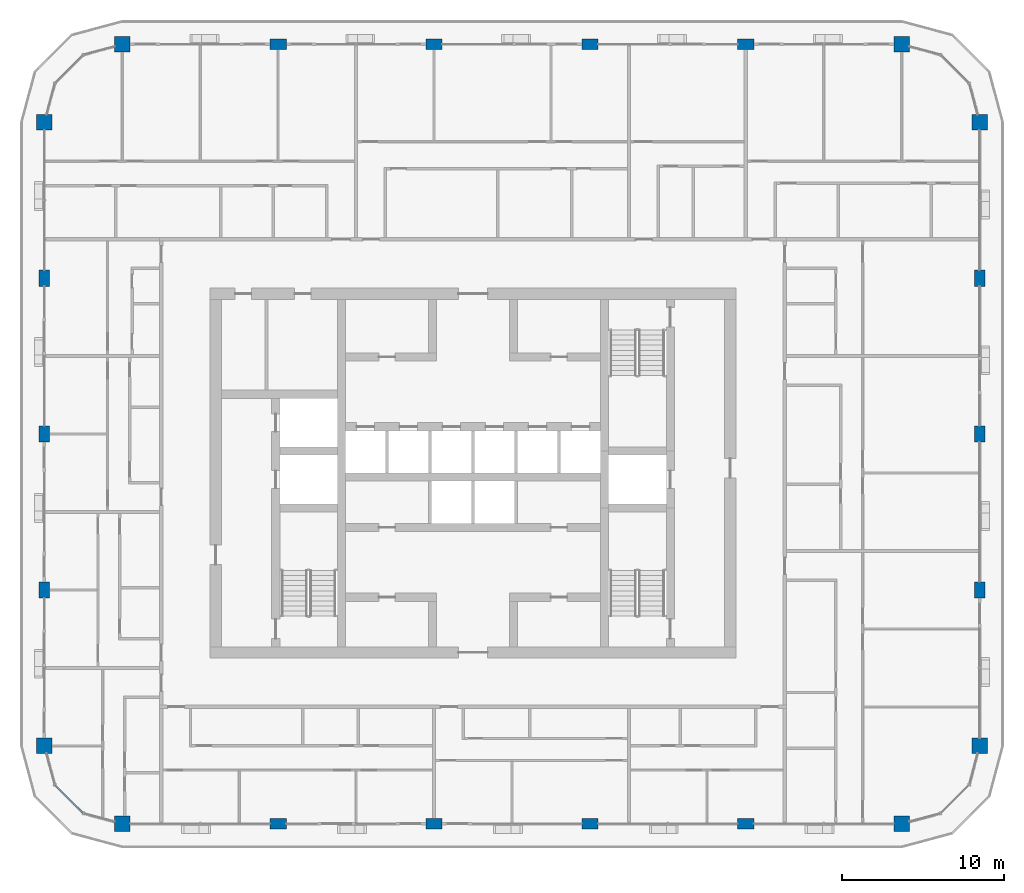
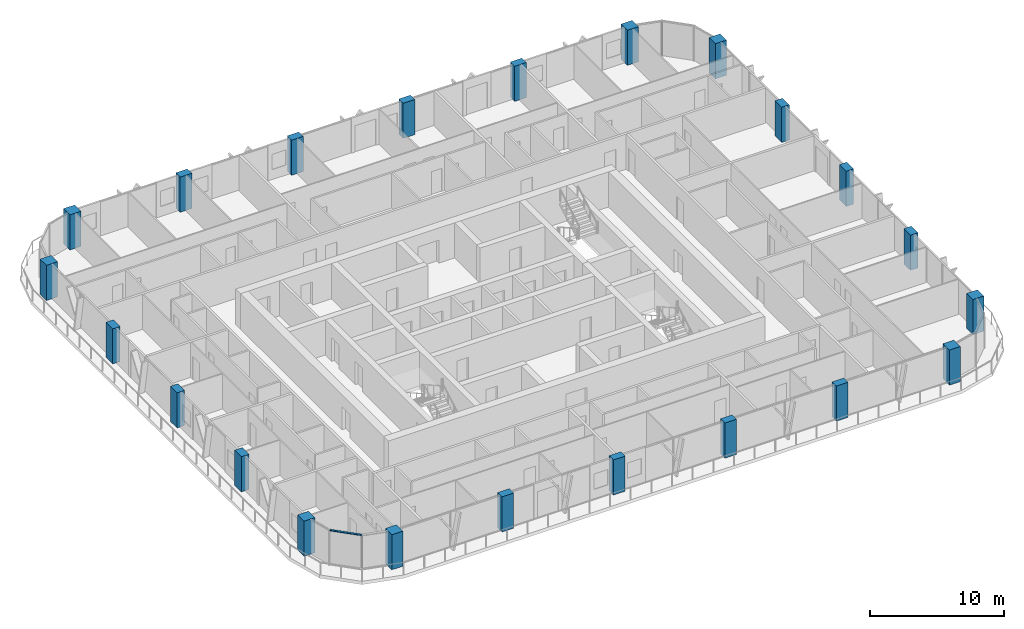
# One storey, part 1 of 22: 22 columns, 1 member, 1 element without a shape of its own.
"""IFC4 building model written with IfcOpenShell, lengths in metres."""

from ifc_helpers import new_model, si_unit, direction, frame, origin, origin_2d, place, context, subcontext, project, spatial, rectangle, extrude, material, layer, layer_set, material_profile, profile_set, type_object, element, aggregate, save


model = new_model("IFC4")

# Units and contexts
model_context = context("Model", 3, precision=1e-05, world=origin(), true_north=direction((0.0, 1.0)))
body_context = subcontext(model_context, "Body", "Model", "MODEL_VIEW")
ifc_project = project(units=[si_unit("LENGTHUNIT", "METRE"), si_unit("AREAUNIT", "SQUARE_METRE"), si_unit("VOLUMEUNIT", "CUBIC_METRE"), si_unit("PLANEANGLEUNIT", "RADIAN"), si_unit("MASSUNIT", "GRAM", prefix="KILO")], contexts=[model_context])

# Site, building, storey
site_placement = place(None, origin())
site = spatial("IfcSite", under=ifc_project, at=site_placement, CompositionType="ELEMENT")
building_placement = place(site_placement, origin())
building = spatial("IfcBuilding", under=site, at=building_placement, Name="Madar Terraces", CompositionType="ELEMENT")
storey_placement = place(building_placement, frame((0.0, 0.0, 208.800048828125)))
storey = spatial("IfcBuildingStorey", under=building, at=storey_placement, Name="L54", CompositionType="ELEMENT", Elevation=208.800048828125)

# Columns
ifc_material_1 = material(Name="Concrete C60/75", Category="concrete")
ifc_material_profile_1 = material_profile(ifc_material_1, rectangle(XDim=1.0, YDim=0.64990234375, at=origin_2d()), Name="CC4 RC 1000x650")
ifc_profile_set_1 = profile_set([ifc_material_profile_1], Name="Concrete C60/75")
column_type_1 = type_object("IfcColumnType", Name="CC4 RC 1000x650", PredefinedType="COLUMN", material=ifc_profile_set_1)
for number, where, z_axis, x_axis, name in (
    (1, (19.199951171875, 4.800048828125, 0.0), (0.0, 0.0, 1.0), (1.0, 0.0, 0.0), "Perimeter column S2"),
    (2, (28.800048828125, 4.800048828125, 0.0), (0.0, 0.0, 1.0), (1.0, 0.0, 0.0), "Perimeter column S3"),
    (3, (38.39990234375, 4.800048828125, 0.0), (0.0, 0.0, 1.0), (1.0, 0.0, 0.0), "Perimeter column S4"),
    (4, (48.0, 4.800048828125, 0.0), (0.0, 0.0, 1.0), (1.0, 0.0, 0.0), "Perimeter column S5"),
    (5, (62.39990234375, 19.199951171875, 0.0), (0.0, 0.0, 1.0), (0.0, 1.0, 0.0), "Perimeter column E2"),
    (6, (62.39990234375, 28.800048828125, 0.0), (0.0, 0.0, 1.0), (0.0, 1.0, 0.0), "Perimeter column E3"),
    (7, (62.39990234375, 38.39990234375, 0.0), (0.0, 0.0, 1.0), (0.0, 1.0, 0.0), "Perimeter column E4"),
    (8, (48.0, 52.800048828125, 0.0), (0.0, 0.0, 1.0), (1.0, 0.0, 0.0), "Perimeter column N2"),
    (9, (38.39990234375, 52.800048828125, 0.0), (0.0, 0.0, 1.0), (1.0, 0.0, 0.0), "Perimeter column N3"),
    (10, (28.800048828125, 52.800048828125, 0.0), (0.0, 0.0, 1.0), (1.0, 0.0, 0.0), "Perimeter column N4"),
    (11, (19.199951171875, 52.800048828125, 0.0), (0.0, 0.0, 1.0), (1.0, 0.0, 0.0), "Perimeter column N5"),
    (12, (4.800048828125, 38.39990234375, 0.0), (0.0, 0.0, 1.0), (0.0, 1.0, 0.0), "Perimeter column W2"),
    (13, (4.800048828125, 28.800048828125, 0.0), (0.0, 0.0, 1.0), (0.0, 1.0, 0.0), "Perimeter column W3"),
    (14, (4.800048828125, 19.199951171875, 0.0), (0.0, 0.0, 1.0), (0.0, 1.0, 0.0), "Perimeter column W4"),
):
    element("IfcColumn", number, at=place(storey_placement, frame(where, z_axis=z_axis, x_axis=x_axis)), inside=storey, type_object=column_type_1, Name=name, PredefinedType="COLUMN", context=body_context, shape_type="SweptSolid", body=[
        extrude(rectangle(XDim=1.0, YDim=0.64990234375, at=origin_2d()), origin(), (0.0, 0.0, 1.0), 3.199951171875),
    ])
ifc_material_2 = material(Name="Concrete C60/75", Category="concrete")
ifc_material_profile_2 = material_profile(ifc_material_2, rectangle(XDim=0.949951171875, YDim=0.949951171875, at=origin_2d()), Name="KC4 RC 950x950")
ifc_profile_set_2 = profile_set([ifc_material_profile_2], Name="Concrete C60/75")
column_type_2 = type_object("IfcColumnType", Name="KC4 RC 950x950", PredefinedType="COLUMN", material=ifc_profile_set_2)
for number, where, z_axis, x_axis, name in (
    (15, (9.60009765625, 4.800048828125, 0.0), (0.0, 0.0, 1.0), (1.0, 0.0, 0.0), "Perimeter column S1"),
    (16, (57.60009765625, 4.800048828125, 0.0), (0.0, 0.0, 1.0), (1.0, 0.0, 0.0), "Perimeter column S6"),
    (17, (62.39990234375, 9.60009765625, 0.0), (0.0, 0.0, 1.0), (1.0, 0.0, 0.0), "Perimeter column E1"),
    (18, (62.39990234375, 48.0, 0.0), (0.0, 0.0, 1.0), (1.0, 0.0, 0.0), "Perimeter column E5"),
    (19, (57.60009765625, 52.800048828125, 0.0), (0.0, 0.0, 1.0), (1.0, 0.0, 0.0), "Perimeter column N1"),
    (20, (9.60009765625, 52.800048828125, 0.0), (0.0, 0.0, 1.0), (1.0, 0.0, 0.0), "Perimeter column N6"),
    (21, (4.800048828125, 48.0, 0.0), (0.0, 0.0, 1.0), (1.0, 0.0, 0.0), "Perimeter column W1"),
    (22, (4.800048828125, 9.60009765625, 0.0), (0.0, 0.0, 1.0), (1.0, 0.0, 0.0), "Perimeter column W5"),
):
    element("IfcColumn", number, at=place(storey_placement, frame(where, z_axis=z_axis, x_axis=x_axis)), inside=storey, type_object=column_type_2, Name=name, PredefinedType="COLUMN", context=body_context, shape_type="SweptSolid", body=[
        extrude(rectangle(XDim=0.949951171875, YDim=0.949951171875, at=origin_2d()), origin(), (0.0, 0.0, 1.0), 3.199951171875),
    ])

# Curtain wall, member
ifc_material_3 = material(Name="Glass, ceramic frit dark grey, with black aluminium frame", Category="aluminium")
ifc_layer = layer(ifc_material_3, 0.199951171875)
ifc_layer_set = layer_set([ifc_layer], Name="Facade curtain wall, fritted glass")
curtain_wall_type = type_object("IfcCurtainWallType", Name="Facade curtain wall, fritted glass", PredefinedType="NOTDEFINED", material=ifc_layer_set)
curtain_wall_placement = place(storey_placement, origin())
curtain_wall = element("IfcCurtainWall", 23, at=curtain_wall_placement, inside=storey, type_object=curtain_wall_type, Name="Outer skin curtain wall south-west corner", PredefinedType="NOTDEFINED")
ifc_material_4 = material(Name="Aluminium, black anodised", Category="aluminium")
ifc_material_profile_3 = material_profile(ifc_material_4, rectangle(XDim=0.1201171875, YDim=0.06005859375, at=origin_2d()), Name="Facade transom 60x120")
ifc_profile_set_3 = profile_set([ifc_material_profile_3], Name="Aluminium, black anodised")
member_type = type_object("IfcMemberType", Name="Facade transom 60x120", PredefinedType="USERDEFINED", material=ifc_profile_set_3)
member_placement = place(storey_placement, frame((5.46435546875, 7.1787109375, 3.169921875), z_axis=(0.707106781187, -0.707106781187, 0.0), x_axis=(0.707106781187, 0.707106781187, 0.0)))
member = element("IfcMember", 24, at=member_placement, type_object=member_type, Name="Transom 2", ObjectType="TRANSOM", PredefinedType="USERDEFINED", context=body_context, shape_type="SweptSolid", body=[
    extrude(rectangle(XDim=0.1201171875, YDim=0.06005859375, at=origin_2d()), origin(), (0.0, 0.0, 1.0), 2.424560546875),
])
aggregate(curtain_wall, [member])

save(model, "model.ifc")
